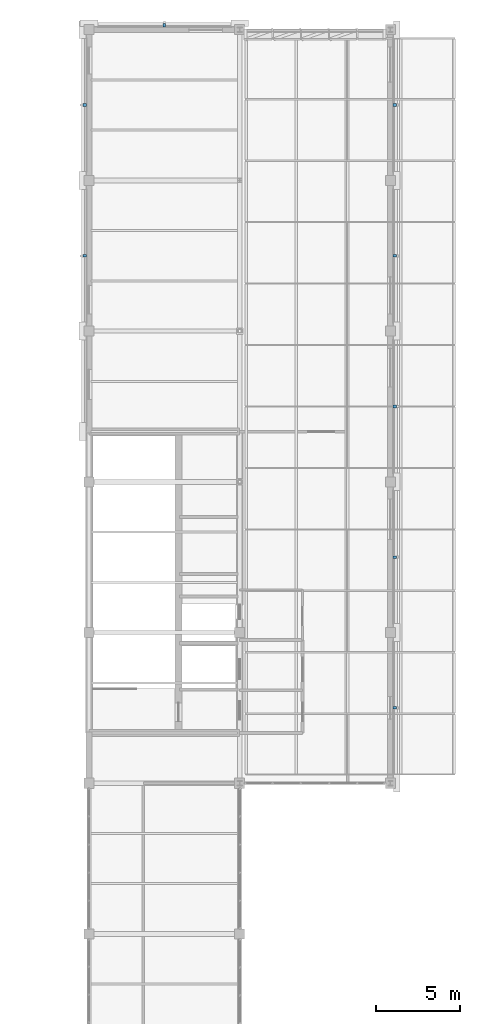
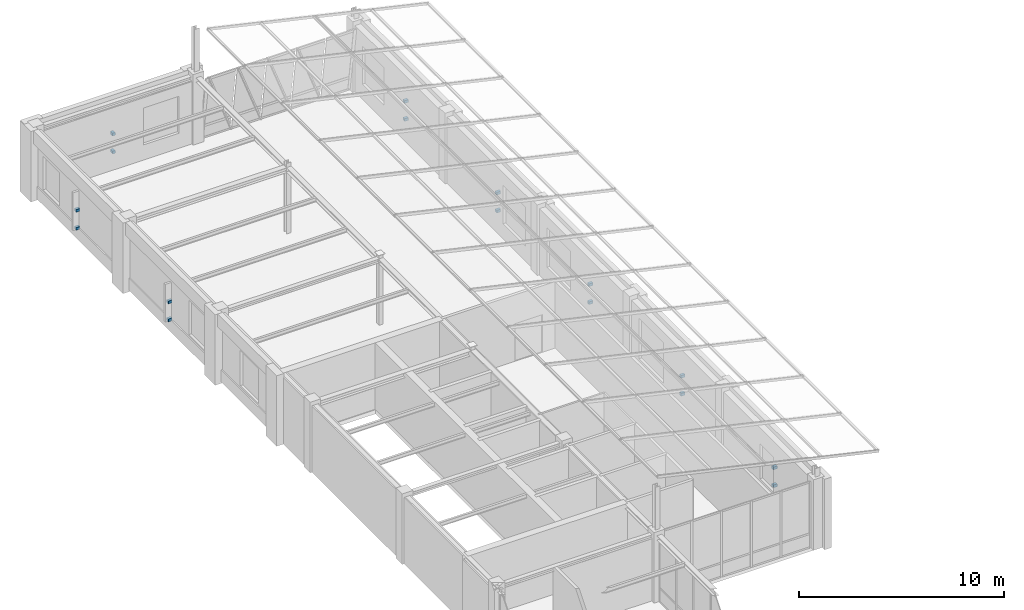
# One storey, part 90 of 97: 16 discrete accessories.
"""IFC4 building model written with IfcOpenShell, lengths in metres."""

from ifc_helpers import new_model, si_unit, direction, frame, origin, origin_2d, place, context, subcontext, project, spatial, rectangle, extrude, material, type_object, element, save


model = new_model("IFC4")

# Units and contexts
model_context = context("Model", 3, precision=1e-05, world=origin(), true_north=direction((0.0, 1.0)))
body_context = subcontext(model_context, "Body", "Model", "MODEL_VIEW")
ifc_project = project(units=[si_unit("LENGTHUNIT", "METRE"), si_unit("AREAUNIT", "SQUARE_METRE"), si_unit("VOLUMEUNIT", "CUBIC_METRE"), si_unit("PLANEANGLEUNIT", "RADIAN"), si_unit("MASSUNIT", "GRAM", prefix="KILO")], contexts=[model_context])

# Site, building, storey
site_placement = place(None, origin())
site = spatial("IfcSite", under=ifc_project, at=site_placement, CompositionType="ELEMENT")
building_placement = place(site_placement, origin())
building = spatial("IfcBuilding", under=site, at=building_placement, Name="Lykobir Media Centre", CompositionType="ELEMENT")
storey_placement = place(building_placement, frame((0.0, 0.0, 23.39990234375)))
storey = spatial("IfcBuildingStorey", under=building, at=storey_placement, Name="L05", CompositionType="ELEMENT", Elevation=23.39990234375)

# Discrete accessories
ifc_material = material(Name="Steel S355", Category="steel")
discrete_accessory_type = type_object("IfcDiscreteAccessoryType", Name="ACC-BRK", PredefinedType="BRACKET", material=ifc_material)
for number, where, z_axis, x_axis, name in (
    (1, (45.260009765625, 67.5, 0.7001953125), (0.0, 0.0, 1.0), (0.0, 1.0, 0.0), "Cumba corbel bracket 187"),
    (2, (45.260009765625, 67.5, 1.77001953125), (0.0, 0.0, 1.0), (0.0, 1.0, 0.0), "Shading fin bracket 188"),
    (3, (45.260009765625, 76.5, 0.7001953125), (0.0, 0.0, 1.0), (0.0, 1.0, 0.0), "Cumba corbel bracket 189"),
    (4, (45.260009765625, 76.5, 1.77001953125), (0.0, 0.0, 1.0), (0.0, 1.0, 0.0), "Shading fin bracket 190"),
    (5, (45.260009765625, 85.5, 0.7001953125), (0.0, 0.0, 1.0), (0.0, 1.0, 0.0), "Cumba corbel bracket 191"),
    (6, (45.260009765625, 85.5, 1.77001953125), (0.0, 0.0, 1.0), (0.0, 1.0, 0.0), "Shading fin bracket 192"),
    (7, (45.260009765625, 94.5, 0.7001953125), (0.0, 0.0, 1.0), (0.0, 1.0, 0.0), "Cumba corbel bracket 193"),
    (8, (45.260009765625, 94.5, 1.77001953125), (0.0, 0.0, 1.0), (0.0, 1.0, 0.0), "Shading fin bracket 194"),
    (9, (45.260009765625, 103.5, 0.7001953125), (0.0, 0.0, 1.0), (0.0, 1.0, 0.0), "Cumba corbel bracket 195"),
    (10, (45.260009765625, 103.5, 1.77001953125), (0.0, 0.0, 1.0), (0.0, 1.0, 0.0), "Shading fin bracket 196"),
    (11, (31.5, 108.260009765625, 0.7001953125), (0.0, 0.0, 1.0), (-1.0, 0.0, 0.0), "Cumba corbel bracket 197"),
    (12, (31.5, 108.260009765625, 1.77001953125), (0.0, 0.0, 1.0), (-1.0, 0.0, 0.0), "Shading fin bracket 198"),
    (13, (26.739990234375, 94.5, 0.7001953125), (0.0, 0.0, 1.0), (0.0, -1.0, 0.0), "Cumba corbel bracket 199"),
    (14, (26.739990234375, 94.5, 1.77001953125), (0.0, 0.0, 1.0), (0.0, -1.0, 0.0), "Shading fin bracket 200"),
    (15, (26.739990234375, 103.5, 0.7001953125), (0.0, 0.0, 1.0), (0.0, -1.0, 0.0), "Cumba corbel bracket 201"),
    (16, (26.739990234375, 103.5, 1.77001953125), (0.0, 0.0, 1.0), (0.0, -1.0, 0.0), "Shading fin bracket 202"),
):
    element("IfcDiscreteAccessory", number, at=place(storey_placement, frame(where, z_axis=z_axis, x_axis=x_axis)), inside=storey, type_object=discrete_accessory_type, Name=name, PredefinedType="BRACKET", context=body_context, shape_type="SweptSolid", body=[
        extrude(rectangle(XDim=0.159912109375, YDim=0.219970703125, at=origin_2d()), origin(), (0.0, 0.0, 1.0), 0.159912109375),
    ])

save(model, "model.ifc")
